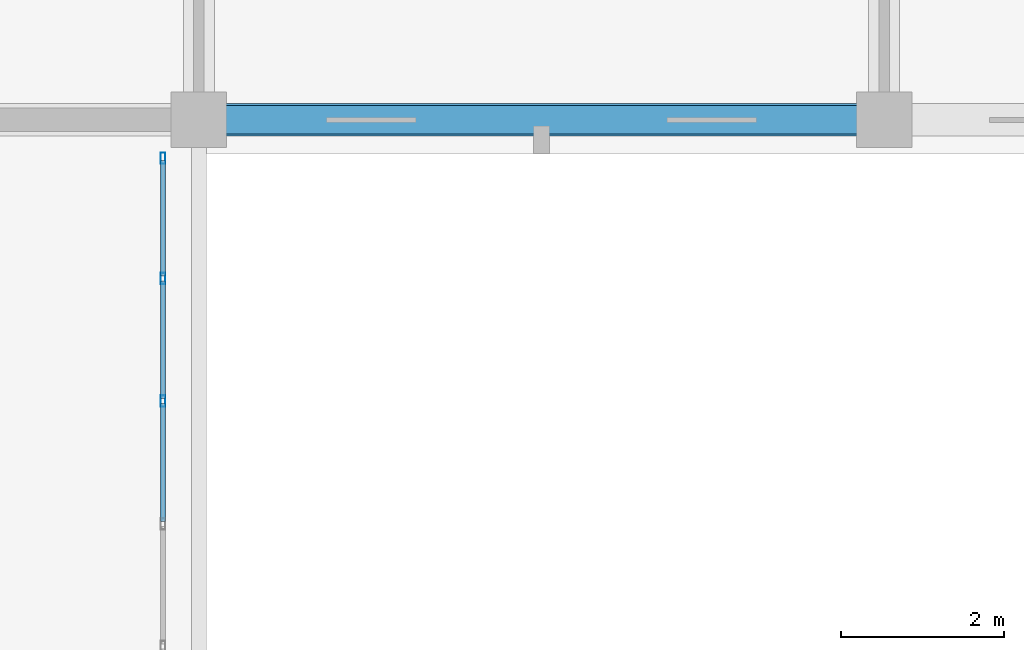
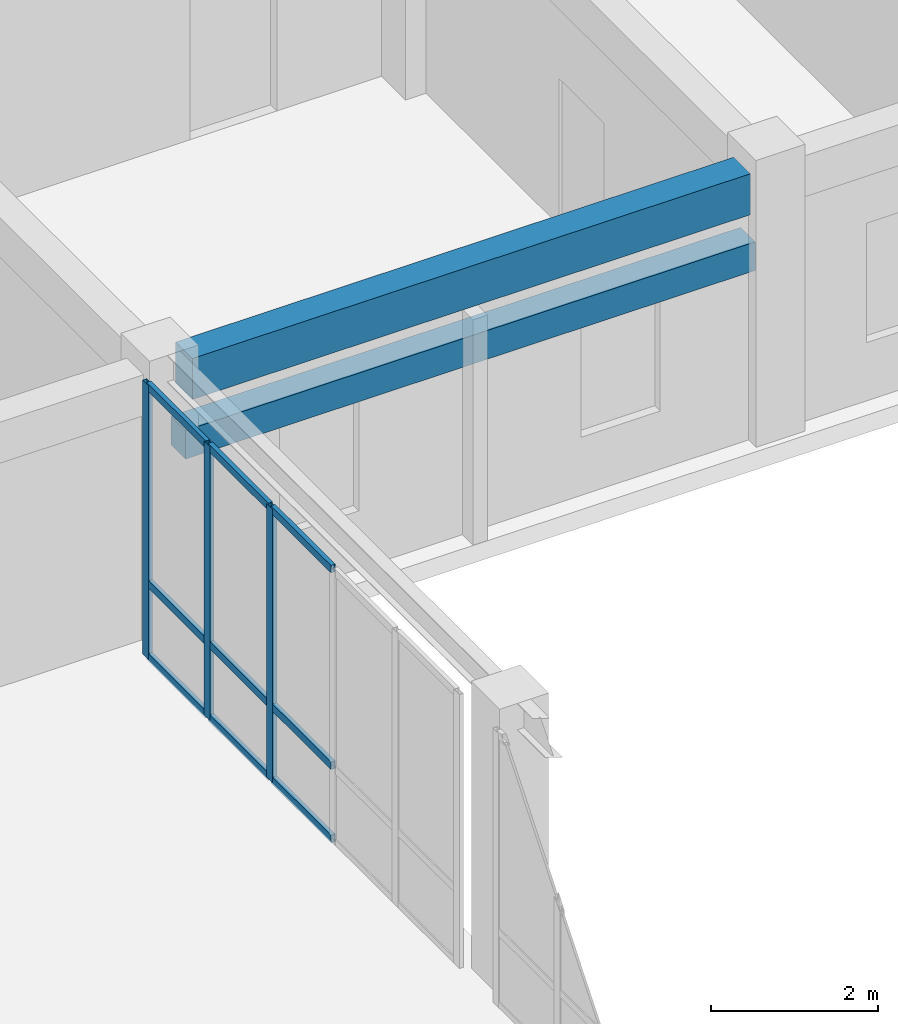
# One storey, part 71 of 140: 12 members, 2 beams, 1 element without a shape of its own.
"""IFC4 building model written with IfcOpenShell, lengths in metres."""

from ifc_helpers import new_model, si_unit, direction, frame, origin, origin_2d, place, context, subcontext, project, spatial, rectangle, hollow_rectangle, extrude, material, layer, layer_set, material_profile, profile_set, type_object, element, aggregate, save


model = new_model("IFC4")

# Units and contexts
model_context = context("Model", 3, precision=1e-05, world=origin(), true_north=direction((0.0, 1.0)))
body_context = subcontext(model_context, "Body", "Model", "MODEL_VIEW")
ifc_project = project(units=[si_unit("LENGTHUNIT", "METRE"), si_unit("AREAUNIT", "SQUARE_METRE"), si_unit("VOLUMEUNIT", "CUBIC_METRE"), si_unit("PLANEANGLEUNIT", "RADIAN"), si_unit("MASSUNIT", "GRAM", prefix="KILO")], contexts=[model_context])

# Site, building, storey
site_placement = place(None, origin())
site = spatial("IfcSite", under=ifc_project, at=site_placement, CompositionType="ELEMENT")
building_placement = place(site_placement, origin())
building = spatial("IfcBuilding", under=site, at=building_placement, Name="Trelvath General Hospital", CompositionType="ELEMENT")
storey_placement = place(building_placement, frame((0.0, 0.0, 16.199951171875)))
storey = spatial("IfcBuildingStorey", under=building, at=storey_placement, Name="L04", CompositionType="ELEMENT", Elevation=16.199951171875)

# Beam
ifc_material_1 = material(Name="Concrete C35/45", Category="concrete")
ifc_material_profile_1 = material_profile(ifc_material_1, rectangle(XDim=0.39990234375, YDim=0.60009765625, at=origin_2d()), Name="RCB400x600")
ifc_profile_set_1 = profile_set([ifc_material_profile_1], Name="Concrete C35/45")
beam_type_1 = type_object("IfcBeamType", Name="Beam RC400x600", PredefinedType="BEAM", material=ifc_profile_set_1)
beam_1_placement = place(storey_placement, frame((84.3349609375, 92.39990234375, 3.6201171875), z_axis=(1.0, 0.0, 0.0), x_axis=(0.0, 1.0, 0.0)))
element("IfcBeam", 1, at=beam_1_placement, inside=storey, type_object=beam_type_1, Name="Grid Beam BX-410L", PredefinedType="BEAM", context=body_context, shape_type="SweptSolid", body=[
    extrude(rectangle(XDim=0.39990234375, YDim=0.60009765625, at=origin_2d()), origin(), (0.0, 0.0, 1.0), 7.72998046875),
])

# Curtain wall, members
ifc_material_2 = material(Name="Anodised aluminium and low-E glass", Category="aluminium")
ifc_layer = layer(ifc_material_2, 0.139892578125)
ifc_layer_set = layer_set([ifc_layer], Name="Anodised aluminium and low-E glass")
curtain_wall_type = type_object("IfcCurtainWallType", Name="CW Bridge 752 401", PredefinedType="USERDEFINED", material=ifc_layer_set)
curtain_wall_placement = place(storey_placement, origin())
curtain_wall = element("IfcCurtainWall", 2, at=curtain_wall_placement, inside=storey, type_object=curtain_wall_type, Name="Glazed Bridge Curtain Wall BRG-N-C E L04", ObjectType="Unitised Glazed Curtain Wall", PredefinedType="USERDEFINED")
ifc_material_3 = material(Name="Anodised aluminium", Category="aluminium")
ifc_material_profile_2 = material_profile(ifc_material_3, hollow_rectangle(XDim=0.06005859375, YDim=0.139892578125, WallThickness=0.00390625, at=origin_2d()), Name="RHS60x140x4")
ifc_profile_set_2 = profile_set([ifc_material_profile_2], Name="Anodised aluminium")
member_type_1 = type_object("IfcMemberType", Name="CurtainMullion 60x140", PredefinedType="MULLION", material=ifc_profile_set_2)
member_1_placement = place(storey_placement, frame((83.56005859375, 91.929931640625, 0.0), z_axis=(0.0, 0.0, 1.0), x_axis=(1.0, 0.0, 0.0)))
member_1 = element("IfcMember", 3, at=member_1_placement, type_object=member_type_1, Name="CW-301 mullion 1", PredefinedType="MULLION", context=body_context, shape_type="SweptSolid", body=[
    extrude(hollow_rectangle(XDim=0.06005859375, YDim=0.139892578125, WallThickness=0.00390625, at=origin_2d()), origin(), (0.0, 0.0, 1.0), 4.010009765625),
])
member_2_placement = place(storey_placement, frame((83.56005859375, 90.4560546875, 0.0), z_axis=(0.0, 0.0, 1.0), x_axis=(1.0, 0.0, 0.0)))
member_2 = element("IfcMember", 4, at=member_2_placement, type_object=member_type_1, Name="CW-301 mullion 2", PredefinedType="MULLION", context=body_context, shape_type="SweptSolid", body=[
    extrude(hollow_rectangle(XDim=0.06005859375, YDim=0.139892578125, WallThickness=0.00390625, at=origin_2d()), origin(), (0.0, 0.0, 1.0), 4.010009765625),
])
member_3_placement = place(storey_placement, frame((83.56005859375, 88.951904296875, 0.0), z_axis=(0.0, 0.0, 1.0), x_axis=(1.0, 0.0, 0.0)))
member_3 = element("IfcMember", 5, at=member_3_placement, type_object=member_type_1, Name="CW-301 mullion 3", PredefinedType="MULLION", context=body_context, shape_type="SweptSolid", body=[
    extrude(hollow_rectangle(XDim=0.06005859375, YDim=0.139892578125, WallThickness=0.00390625, at=origin_2d()), origin(), (0.0, 0.0, 1.0), 4.010009765625),
])
ifc_material_4 = material(Name="Anodised aluminium", Category="aluminium")
ifc_material_profile_3 = material_profile(ifc_material_4, hollow_rectangle(XDim=0.06005859375, YDim=0.110107421875, WallThickness=0.00390625, at=origin_2d()), Name="RHS60x110x4")
ifc_profile_set_3 = profile_set([ifc_material_profile_3], Name="Anodised aluminium")
member_type_2 = type_object("IfcMemberType", Name="CurtainTransom 60x110", PredefinedType="USERDEFINED", material=ifc_profile_set_3)
member_4_placement = place(storey_placement, frame((83.56005859375, 91.89990234375, 0.030029296875), z_axis=(0.0, -1.0, 0.0), x_axis=(1.0, 0.0, 0.0)))
member_4 = element("IfcMember", 6, at=member_4_placement, type_object=member_type_2, Name="CW-301 transom 1.1", ObjectType="TRANSOM", PredefinedType="USERDEFINED", context=body_context, shape_type="SweptSolid", body=[
    extrude(hollow_rectangle(XDim=0.06005859375, YDim=0.110107421875, WallThickness=0.00390625, at=origin_2d()), origin(), (0.0, 0.0, 1.0), 1.413818359375),
])
member_5_placement = place(storey_placement, frame((83.56005859375, 91.89990234375, 1.10009765625), z_axis=(0.0, -1.0, 0.0), x_axis=(1.0, 0.0, 0.0)))
member_5 = element("IfcMember", 7, at=member_5_placement, type_object=member_type_2, Name="CW-301 transom 1.2", ObjectType="TRANSOM", PredefinedType="USERDEFINED", context=body_context, shape_type="SweptSolid", body=[
    extrude(hollow_rectangle(XDim=0.06005859375, YDim=0.110107421875, WallThickness=0.00390625, at=origin_2d()), origin(), (0.0, 0.0, 1.0), 1.413818359375),
])
member_6_placement = place(storey_placement, frame((83.56005859375, 91.89990234375, 3.97998046875), z_axis=(0.0, -1.0, 0.0), x_axis=(1.0, 0.0, 0.0)))
member_6 = element("IfcMember", 8, at=member_6_placement, type_object=member_type_2, Name="CW-301 transom 1.3", ObjectType="TRANSOM", PredefinedType="USERDEFINED", context=body_context, shape_type="SweptSolid", body=[
    extrude(hollow_rectangle(XDim=0.06005859375, YDim=0.110107421875, WallThickness=0.00390625, at=origin_2d()), origin(), (0.0, 0.0, 1.0), 1.413818359375),
])
member_7_placement = place(storey_placement, frame((83.56005859375, 90.426025390625, 0.030029296875), z_axis=(0.0, -1.0, 0.0), x_axis=(1.0, 0.0, 0.0)))
member_7 = element("IfcMember", 9, at=member_7_placement, type_object=member_type_2, Name="CW-301 transom 2.1", ObjectType="TRANSOM", PredefinedType="USERDEFINED", context=body_context, shape_type="SweptSolid", body=[
    extrude(hollow_rectangle(XDim=0.06005859375, YDim=0.110107421875, WallThickness=0.00390625, at=origin_2d()), origin(), (0.0, 0.0, 1.0), 1.444091796875),
])
member_8_placement = place(storey_placement, frame((83.56005859375, 90.426025390625, 1.10009765625), z_axis=(0.0, -1.0, 0.0), x_axis=(1.0, 0.0, 0.0)))
member_8 = element("IfcMember", 10, at=member_8_placement, type_object=member_type_2, Name="CW-301 transom 2.2", ObjectType="TRANSOM", PredefinedType="USERDEFINED", context=body_context, shape_type="SweptSolid", body=[
    extrude(hollow_rectangle(XDim=0.06005859375, YDim=0.110107421875, WallThickness=0.00390625, at=origin_2d()), origin(), (0.0, 0.0, 1.0), 1.444091796875),
])
member_9_placement = place(storey_placement, frame((83.56005859375, 90.426025390625, 3.97998046875), z_axis=(0.0, -1.0, 0.0), x_axis=(1.0, 0.0, 0.0)))
member_9 = element("IfcMember", 11, at=member_9_placement, type_object=member_type_2, Name="CW-301 transom 2.3", ObjectType="TRANSOM", PredefinedType="USERDEFINED", context=body_context, shape_type="SweptSolid", body=[
    extrude(hollow_rectangle(XDim=0.06005859375, YDim=0.110107421875, WallThickness=0.00390625, at=origin_2d()), origin(), (0.0, 0.0, 1.0), 1.444091796875),
])
member_10_placement = place(storey_placement, frame((83.56005859375, 88.922119140625, 0.030029296875), z_axis=(0.0, -1.0, 0.0), x_axis=(1.0, 0.0, 0.0)))
member_10 = element("IfcMember", 12, at=member_10_placement, type_object=member_type_2, Name="CW-301 transom 3.1", ObjectType="TRANSOM", PredefinedType="USERDEFINED", context=body_context, shape_type="SweptSolid", body=[
    extrude(hollow_rectangle(XDim=0.06005859375, YDim=0.110107421875, WallThickness=0.00390625, at=origin_2d()), origin(), (0.0, 0.0, 1.0), 1.444091796875),
])
member_11_placement = place(storey_placement, frame((83.56005859375, 88.922119140625, 1.10009765625), z_axis=(0.0, -1.0, 0.0), x_axis=(1.0, 0.0, 0.0)))
member_11 = element("IfcMember", 13, at=member_11_placement, type_object=member_type_2, Name="CW-301 transom 3.2", ObjectType="TRANSOM", PredefinedType="USERDEFINED", context=body_context, shape_type="SweptSolid", body=[
    extrude(hollow_rectangle(XDim=0.06005859375, YDim=0.110107421875, WallThickness=0.00390625, at=origin_2d()), origin(), (0.0, 0.0, 1.0), 1.444091796875),
])
member_12_placement = place(storey_placement, frame((83.56005859375, 88.922119140625, 3.97998046875), z_axis=(0.0, -1.0, 0.0), x_axis=(1.0, 0.0, 0.0)))
member_12 = element("IfcMember", 14, at=member_12_placement, type_object=member_type_2, Name="CW-301 transom 3.3", ObjectType="TRANSOM", PredefinedType="USERDEFINED", context=body_context, shape_type="SweptSolid", body=[
    extrude(hollow_rectangle(XDim=0.06005859375, YDim=0.110107421875, WallThickness=0.00390625, at=origin_2d()), origin(), (0.0, 0.0, 1.0), 1.444091796875),
])
aggregate(curtain_wall, [member_1, member_2, member_3, member_4, member_5, member_6, member_7, member_8, member_9, member_10, member_11, member_12])

# Beam
ifc_material_5 = material(Name="Precast concrete C40/50", Category="concrete")
ifc_material_profile_4 = material_profile(ifc_material_5, rectangle(XDim=0.35009765625, YDim=0.419921875, at=origin_2d()), Name="PCL350x420")
ifc_profile_set_4 = profile_set([ifc_material_profile_4], Name="Precast concrete C40/50")
beam_type_2 = type_object("IfcBeamType", Name="Lintel PC350x420", PredefinedType="LINTEL", material=ifc_profile_set_4)
beam_2_placement = place(storey_placement, frame((92.14501953125, 92.39990234375, 2.670166015625), z_axis=(-1.0, 0.0, 0.0), x_axis=(0.0, -1.0, 0.0)))
element("IfcBeam", 15, at=beam_2_placement, inside=storey, type_object=beam_type_2, Name="Precast Window Brow Lintel L04-466", PredefinedType="LINTEL", context=body_context, shape_type="SweptSolid", body=[
    extrude(rectangle(XDim=0.35009765625, YDim=0.419921875, at=origin_2d()), origin(), (0.0, 0.0, 1.0), 7.89013671875),
])

save(model, "model.ifc")
